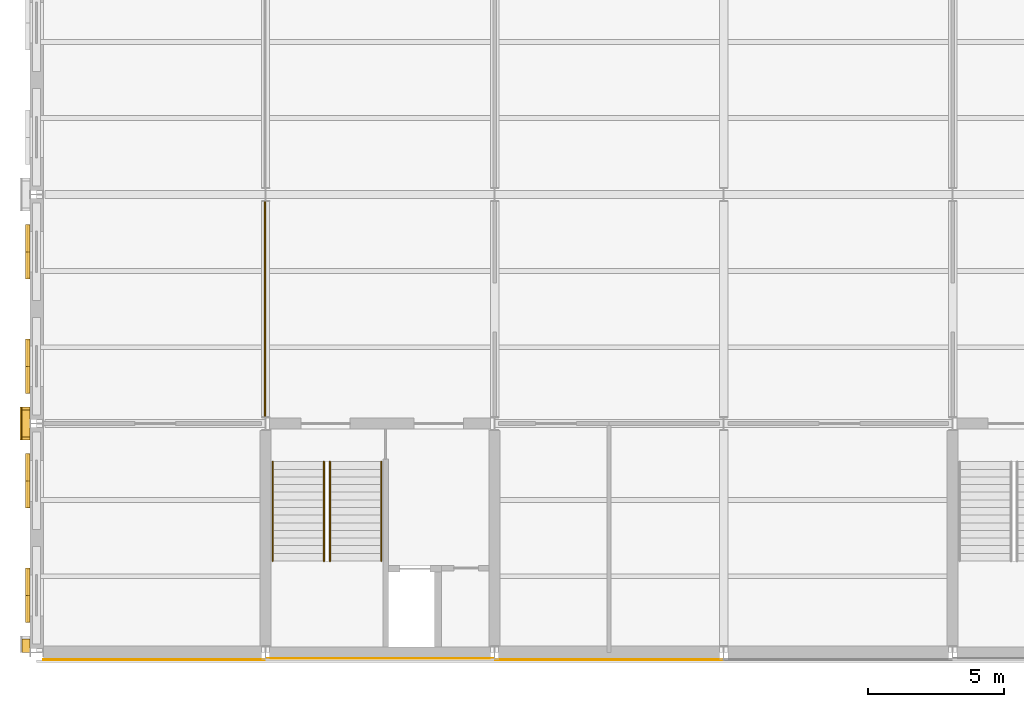
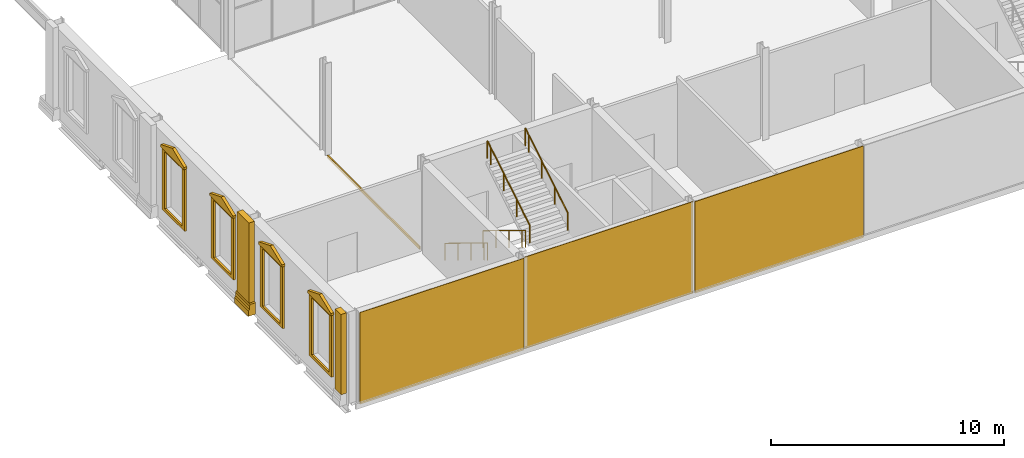
# One storey, part 44 of 61: 15 coverings, 4 railings.
"""IFC4 building model written with IfcOpenShell, lengths in metres."""

from ifc_helpers import new_model, si_unit, direction, frame, origin, origin_2d, place, context, subcontext, project, spatial, polyline, rectangle, circle, outline, extrude, material, layer, layer_set, type_object, element, save


model = new_model("IFC4")

# Units and contexts
model_context = context("Model", 3, precision=1e-05, world=origin(), true_north=direction((0.0, 1.0)))
body_context = subcontext(model_context, "Body", "Model", "MODEL_VIEW")
ifc_project = project(units=[si_unit("LENGTHUNIT", "METRE"), si_unit("AREAUNIT", "SQUARE_METRE"), si_unit("VOLUMEUNIT", "CUBIC_METRE"), si_unit("PLANEANGLEUNIT", "RADIAN"), si_unit("MASSUNIT", "GRAM", prefix="KILO")], contexts=[model_context])

# Site, building, storey
site_placement = place(None, origin())
site = spatial("IfcSite", under=ifc_project, at=site_placement, CompositionType="ELEMENT")
building_placement = place(site_placement, origin())
building = spatial("IfcBuilding", under=site, at=building_placement, Name="Galleria Vessillo Department Store", CompositionType="ELEMENT")
storey_placement = place(building_placement, frame((0.0, 0.0, 11.39990234375)))
storey = spatial("IfcBuildingStorey", under=building, at=storey_placement, Name="L02", CompositionType="ELEMENT", Elevation=11.39990234375)

# Coverings
ifc_material_1 = material(Name="Lime plaster (intonaco) ochre")
ifc_layer_1 = layer(ifc_material_1, 0.030029296875)
ifc_layer_set_1 = layer_set([ifc_layer_1], Name="Lime plaster (intonaco) ochre")
covering_type_1 = type_object("IfcCoveringType", Name="Lime plaster render 30 mm", PredefinedType="CLADDING", material=ifc_layer_set_1)
covering_1_placement = place(storey_placement, frame((4.31005859375, -0.264892578125, 0.0), z_axis=(0.0, 0.0, 1.0), x_axis=(1.0, 0.0, 0.0)))
element("IfcCovering", 1, at=covering_1_placement, inside=storey, type_object=covering_type_1, Name="Wall cladding S-PS-L02-01", PredefinedType="CLADDING", context=body_context, shape_type="SweptSolid", body=[
    extrude(rectangle(XDim=8.1201171875, YDim=0.030029296875, at=origin_2d()), origin(), (0.0, 0.0, 1.0), 4.800048828125),
])
for number, where, z_axis, x_axis, name in (
    (2, (12.599853515625, -0.215087890625, 0.0), (0.0, 0.0, 1.0), (1.0, 0.0, 0.0), "Wall cladding S-CW-PC-SW-PARTY-L02"),
    (3, (21.0, -0.264892578125, 0.0), (0.0, 0.0, 1.0), (1.0, 0.0, 0.0), "Wall cladding S-PS-L02-02"),
):
    element("IfcCovering", number, at=place(storey_placement, frame(where, z_axis=z_axis, x_axis=x_axis)), inside=storey, type_object=covering_type_1, Name=name, PredefinedType="CLADDING", context=body_context, shape_type="SweptSolid", body=[
        extrude(rectangle(XDim=8.340087890625, YDim=0.030029296875, at=origin_2d()), origin(), (0.0, 0.0, 1.0), 4.800048828125),
    ])
ifc_material_2 = material(Name="Botticino limestone ashlar", Category="masonry")
ifc_layer_2 = layer(ifc_material_2, 0.280029296875)
ifc_layer_set_2 = layer_set([ifc_layer_2], Name="Botticino limestone ashlar")
covering_type_2 = type_object("IfcCoveringType", Name="Limestone giant pilaster 1000 x 280", PredefinedType="CLADDING", material=ifc_layer_set_2)
covering_2_placement = place(storey_placement, frame((-0.389892578125, 0.25, 0.60009765625), z_axis=(0.0, 0.0, 1.0), x_axis=(1.0, 0.0, 0.0)))
element("IfcCovering", 4, at=covering_2_placement, inside=storey, type_object=covering_type_2, Name="Giant pilaster W L02 y=0.0", PredefinedType="CLADDING", context=body_context, shape_type="SweptSolid", body=[
    extrude(rectangle(XDim=0.280029296875, YDim=0.5, at=origin_2d()), origin(), (0.0, 0.0, 1.0), 4.199951171875),
])
covering_3_placement = place(storey_placement, frame((-0.389892578125, 8.39990234375, 0.60009765625), z_axis=(0.0, 0.0, 1.0), x_axis=(1.0, 0.0, 0.0)))
element("IfcCovering", 5, at=covering_3_placement, inside=storey, type_object=covering_type_2, Name="Giant pilaster W L02 y=8.4", PredefinedType="CLADDING", context=body_context, shape_type="SweptSolid", body=[
    extrude(rectangle(XDim=0.280029296875, YDim=1.0, at=origin_2d()), origin(), (0.0, 0.0, 1.0), 4.199951171875),
])
ifc_material_3 = material(Name="Botticino limestone ashlar", Category="masonry")
ifc_layer_3 = layer(ifc_material_3, 0.360107421875)
ifc_layer_set_3 = layer_set([ifc_layer_3], Name="Botticino limestone ashlar")
covering_type_3 = type_object("IfcCoveringType", Name="Limestone pilaster base 1200 x 360 x 600", PredefinedType="CLADDING", material=ifc_layer_set_3)
covering_4_placement = place(storey_placement, frame((0.0, 7.7998046875, 0.0), z_axis=(0.0, 1.0, 0.0), x_axis=(-1.0, 0.0, 0.0)))
element("IfcCovering", 6, at=covering_4_placement, inside=storey, type_object=covering_type_3, Name="Pilaster base W y=8.4", PredefinedType="CLADDING", context=body_context, shape_type="SweptSolid", body=[
    extrude(outline(polyline([(0.25, 0.0), (0.610107421875, 0.0), (0.610107421875, 0.280029296875), (0.56005859375, 0.340087890625), (0.56005859375, 0.52001953125), (0.530029296875, 0.60009765625), (0.25, 0.60009765625), (0.25, 0.0)])), origin(), (0.0, 0.0, 1.0), 1.199951171875),
])
ifc_material_4 = material(Name="Botticino limestone ashlar", Category="masonry")
ifc_layer_4 = layer(ifc_material_4, 0.14990234375)
ifc_layer_set_4 = layer_set([ifc_layer_4], Name="Botticino limestone ashlar")
covering_type_4 = type_object("IfcCoveringType", Name="Limestone slab-edge fascia 150 mm", PredefinedType="CLADDING", material=ifc_layer_set_4)
covering_5_placement = place(storey_placement, frame((8.369873046875, 12.60009765625, -0.14990234375), z_axis=(0.0, 0.0, 1.0), x_axis=(1.0, 0.0, 0.0)))
element("IfcCovering", 7, at=covering_5_placement, inside=storey, type_object=covering_type_4, Name="Slab-edge fascia LB-L01-01", PredefinedType="CLADDING", context=body_context, shape_type="SweptSolid", body=[
    extrude(rectangle(XDim=0.06005859375, YDim=7.900146484375, at=origin_2d()), origin(), (0.0, 0.0, 1.0), 0.14990234375),
])
ifc_material_5 = material(Name="Botticino limestone ashlar", Category="masonry")
ifc_layer_5 = layer(ifc_material_5, 0.14990234375)
ifc_layer_set_5 = layer_set([ifc_layer_5], Name="Botticino limestone ashlar")
covering_type_5 = type_object("IfcCoveringType", Name="Limestone window pediment 150 mm", PredefinedType="USERDEFINED", material=ifc_layer_set_5)
for number, where, z_axis, x_axis, name in (
    (8, (-0.324951171875, 1.10009765625, 4.02001953125), (0.0, 0.0, 1.0), (0.0, 1.0, 0.0), "Window pediment W001"),
    (9, (-0.324951171875, 5.300048828125, 4.02001953125), (0.0, 0.0, 1.0), (0.0, 1.0, 0.0), "Window pediment W002"),
    (10, (-0.324951171875, 9.5, 4.02001953125), (0.0, 0.0, 1.0), (0.0, 1.0, 0.0), "Window pediment W003"),
    (11, (-0.324951171875, 13.699951171875, 4.02001953125), (0.0, 0.0, 1.0), (0.0, 1.0, 0.0), "Window pediment W004"),
):
    element("IfcCovering", number, at=place(storey_placement, frame(where, z_axis=z_axis, x_axis=x_axis)), inside=storey, type_object=covering_type_5, Name=name, ObjectType="WINDOW PEDIMENT", PredefinedType="USERDEFINED", context=body_context, shape_type="SweptSolid", body=[
        extrude(outline(polyline([(0.0, 0.0), (2.0, 0.0), (2.0, 0.119873046875), (1.0, 0.52001953125), (0.0, 0.119873046875), (0.0, 0.0)])), frame((0.0, 0.074951171875, 0.0), z_axis=(0.0, -1.0, 0.0), x_axis=(1.0, 0.0, 0.0)), (0.0, 0.0, 1.0), 0.14990234375),
    ])
ifc_material_6 = material(Name="Botticino limestone ashlar", Category="masonry")
ifc_layer_6 = layer(ifc_material_6, 0.10009765625)
ifc_layer_set_6 = layer_set([ifc_layer_6], Name="Botticino limestone ashlar")
covering_type_6 = type_object("IfcCoveringType", Name="Limestone window surround 100 mm", PredefinedType="CLADDING", material=ifc_layer_set_6)
covering_6_placement = place(storey_placement, frame((-0.25, 0.0, 0.89990234375), z_axis=(-1.0, 0.0, 0.0), x_axis=(0.0, -1.0, 0.0)))
element("IfcCovering", 12, at=covering_6_placement, inside=storey, type_object=covering_type_6, Name="Window surround W001", PredefinedType="CLADDING", context=body_context, shape_type="SweptSolid", body=[
    extrude(outline(polyline([(-1.130126953125, 3.1201171875), (-3.070068359375, 3.1201171875), (-3.070068359375, -0.139892578125), (-1.130126953125, -0.139892578125), (-1.130126953125, 3.1201171875)]), holes=[polyline([(-1.35009765625, 3.0), (-2.85009765625, 3.0), (-2.85009765625, 0.0), (-1.35009765625, 0.0), (-1.35009765625, 3.0)])]), origin(), (0.0, 0.0, 1.0), 0.10009765625),
])
covering_7_placement = place(storey_placement, frame((-0.25, 0.0, 0.89990234375), z_axis=(-1.0, 0.0, 0.0), x_axis=(0.0, -1.0, 0.0)))
element("IfcCovering", 13, at=covering_7_placement, inside=storey, type_object=covering_type_6, Name="Window surround W002", PredefinedType="CLADDING", context=body_context, shape_type="SweptSolid", body=[
    extrude(outline(polyline([(-5.330078125, 3.1201171875), (-7.27001953125, 3.1201171875), (-7.27001953125, -0.139892578125), (-5.330078125, -0.139892578125), (-5.330078125, 3.1201171875)]), holes=[polyline([(-5.550048828125, 3.0), (-7.050048828125, 3.0), (-7.050048828125, 0.0), (-5.550048828125, 0.0), (-5.550048828125, 3.0)])]), origin(), (0.0, 0.0, 1.0), 0.10009765625),
])
covering_8_placement = place(storey_placement, frame((-0.25, 0.0, 0.89990234375), z_axis=(-1.0, 0.0, 0.0), x_axis=(0.0, -1.0, 0.0)))
element("IfcCovering", 14, at=covering_8_placement, inside=storey, type_object=covering_type_6, Name="Window surround W003", PredefinedType="CLADDING", context=body_context, shape_type="SweptSolid", body=[
    extrude(outline(polyline([(-9.530029296875, 3.1201171875), (-11.469970703125, 3.1201171875), (-11.469970703125, -0.139892578125), (-9.530029296875, -0.139892578125), (-9.530029296875, 3.1201171875)]), holes=[polyline([(-9.75, 3.0), (-11.25, 3.0), (-11.25, 0.0), (-9.75, 0.0), (-9.75, 3.0)])]), origin(), (0.0, 0.0, 1.0), 0.10009765625),
])
covering_9_placement = place(storey_placement, frame((-0.25, 0.0, 0.89990234375), z_axis=(-1.0, 0.0, 0.0), x_axis=(0.0, -1.0, 0.0)))
element("IfcCovering", 15, at=covering_9_placement, inside=storey, type_object=covering_type_6, Name="Window surround W004", PredefinedType="CLADDING", context=body_context, shape_type="SweptSolid", body=[
    extrude(outline(polyline([(-13.72998046875, 3.1201171875), (-15.669921875, 3.1201171875), (-15.669921875, -0.139892578125), (-13.72998046875, -0.139892578125), (-13.72998046875, 3.1201171875)]), holes=[polyline([(-13.949951171875, 3.0), (-15.449951171875, 3.0), (-15.449951171875, 0.0), (-13.949951171875, 0.0), (-13.949951171875, 3.0)])]), origin(), (0.0, 0.0, 1.0), 0.10009765625),
])

# Railings
ifc_material_7 = material(Name="Stainless steel tube", Category="steel")
railing_type = type_object("IfcRailingType", Name="Stair handrail steel tube 48 mm", PredefinedType="HANDRAIL", material=ifc_material_7)
for number, where, name in (
    (16, (10.5400390625, 7.0, 0.17138671875), "Handrail ST1 L02 flight 1A"),
    (17, (8.66015625, 7.0, 0.17138671875), "Handrail ST1 L02 flight 1B"),
):
    element("IfcRailing", number, at=place(storey_placement, frame(where)), inside=storey, type_object=railing_type, Name=name, PredefinedType="HANDRAIL", context=body_context, shape_type="SweptSolid", body=[
        extrude(circle(Radius=0.02392578125, at=origin_2d()), frame((0.0, 0.0, 0.89599609375), z_axis=(0.0, -0.852849614702, 0.52215661894), x_axis=(1.0, 0.0, 0.0)), (0.0, 0.0, 1.0), 1.3134765625),
        extrude(circle(Radius=0.02392578125, at=origin_2d()), frame((0.0, -1.1201171875, 1.58154296875), z_axis=(0.0, -0.852798921012, 0.522239409008), x_axis=(1.0, 0.0, 0.0)), (0.0, 0.0, 1.0), 1.313232421875),
        extrude(circle(Radius=0.02392578125, at=origin_2d()), frame((0.0, -2.239990234375, 2.267578125), z_axis=(0.0, -0.852932391421, 0.522021393877), x_axis=(1.0, 0.0, 0.0)), (0.0, 0.0, 1.0), 1.313232421875),
        extrude(circle(Radius=0.02392578125, at=origin_2d()), frame((0.0, -3.360107421875, 2.953125), z_axis=(0.0, -0.852729557261, 0.522352660731), x_axis=(1.0, 0.0, 0.0)), (0.0, 0.0, 1.0), 0.328125),
        extrude(circle(Radius=0.02099609375, at=origin_2d()), origin(), (0.0, 0.0, 1.0), 0.871826171875),
        extrude(circle(Radius=0.02099609375, at=origin_2d()), frame((0.0, -1.1201171875, 0.685791015625)), (0.0, 0.0, 1.0), 0.871826171875),
        extrude(circle(Radius=0.02099609375, at=origin_2d()), frame((0.0, -2.239990234375, 1.37158203125)), (0.0, 0.0, 1.0), 0.871826171875),
        extrude(circle(Radius=0.02099609375, at=origin_2d()), frame((0.0, -3.360107421875, 2.05712890625)), (0.0, 0.0, 1.0), 0.871826171875),
        extrude(circle(Radius=0.02099609375, at=origin_2d()), frame((0.0, -3.639892578125, 2.228515625)), (0.0, 0.0, 1.0), 0.871826171875),
    ])
for number, where, name in (
    (18, (10.760009765625, 3.360107421875, 2.571533203125), "Handrail ST1 L02 flight 2A"),
    (19, (12.639892578125, 3.360107421875, 2.571533203125), "Handrail ST1 L02 flight 2B"),
):
    element("IfcRailing", number, at=place(storey_placement, frame(where)), inside=storey, type_object=railing_type, Name=name, PredefinedType="HANDRAIL", context=body_context, shape_type="SweptSolid", body=[
        extrude(circle(Radius=0.02392578125, at=origin_2d()), frame((0.0, 0.0, 0.89599609375), z_axis=(0.0, 0.852849614702, 0.52215661894), x_axis=(-1.0, 0.0, 0.0)), (0.0, 0.0, 1.0), 1.3134765625),
        extrude(circle(Radius=0.02392578125, at=origin_2d()), frame((0.0, 1.1201171875, 1.58154296875), z_axis=(0.0, 0.852798921012, 0.522239409008), x_axis=(-1.0, 0.0, 0.0)), (0.0, 0.0, 1.0), 1.313232421875),
        extrude(circle(Radius=0.02392578125, at=origin_2d()), frame((0.0, 2.239990234375, 2.267578125), z_axis=(0.0, 0.852932391421, 0.522021393877), x_axis=(-1.0, 0.0, 0.0)), (0.0, 0.0, 1.0), 1.313232421875),
        extrude(circle(Radius=0.02392578125, at=origin_2d()), frame((0.0, 3.360107421875, 2.953125), z_axis=(0.0, 0.852729557261, 0.522352660731), x_axis=(-1.0, 0.0, 0.0)), (0.0, 0.0, 1.0), 0.328125),
        extrude(circle(Radius=0.02099609375, at=origin_2d()), origin(), (0.0, 0.0, 1.0), 0.871826171875),
        extrude(circle(Radius=0.02099609375, at=origin_2d()), frame((0.0, 1.1201171875, 0.685791015625)), (0.0, 0.0, 1.0), 0.871826171875),
        extrude(circle(Radius=0.02099609375, at=origin_2d()), frame((0.0, 2.239990234375, 1.37158203125)), (0.0, 0.0, 1.0), 0.871826171875),
        extrude(circle(Radius=0.02099609375, at=origin_2d()), frame((0.0, 3.360107421875, 2.05712890625)), (0.0, 0.0, 1.0), 0.871826171875),
        extrude(circle(Radius=0.02099609375, at=origin_2d()), frame((0.0, 3.639892578125, 2.228515625)), (0.0, 0.0, 1.0), 0.871826171875),
    ])

save(model, "model.ifc")
